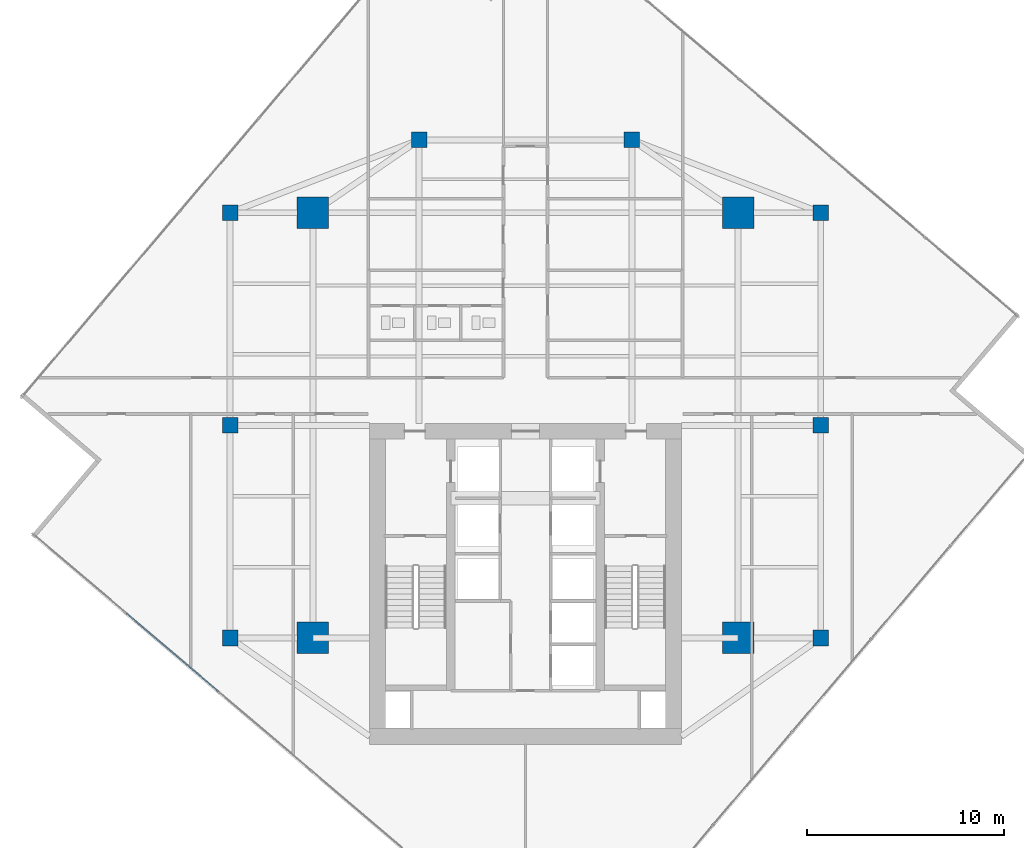
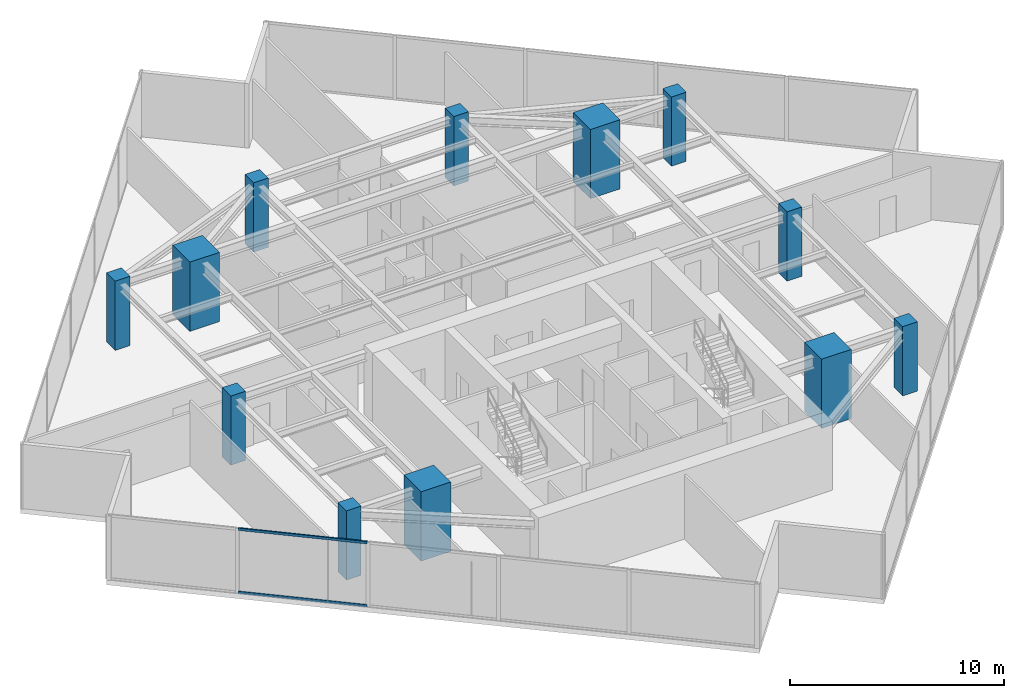
# One storey, part 1 of 25: 12 columns, 2 members, 1 element without a shape of its own.
"""IFC4 building model written with IfcOpenShell, lengths in metres."""

from ifc_helpers import new_model, si_unit, direction, frame, origin, origin_2d, place, context, subcontext, project, spatial, rectangle, hollow_rectangle, extrude, source, transform, mapped, material, material_profile, profile_set, type_object, type_shapes, element, aggregate, save


model = new_model("IFC4")

# Units and contexts
model_context = context("Model", 3, precision=1e-05, world=origin(), true_north=direction((0.0, 1.0)))
body_context = subcontext(model_context, "Body", "Model", "MODEL_VIEW")
ifc_project = project(units=[si_unit("LENGTHUNIT", "METRE"), si_unit("AREAUNIT", "SQUARE_METRE"), si_unit("VOLUMEUNIT", "CUBIC_METRE"), si_unit("PLANEANGLEUNIT", "RADIAN"), si_unit("MASSUNIT", "GRAM", prefix="KILO")], contexts=[model_context])

# Site, building, storey
site_placement = place(None, origin())
site = spatial("IfcSite", under=ifc_project, at=site_placement, CompositionType="ELEMENT")
building_placement = place(site_placement, origin())
building = spatial("IfcBuilding", under=site, at=building_placement, Name="Krantzveldt Concourse Tower", CompositionType="ELEMENT")
storey_placement = place(building_placement, frame((0.0, 0.0, 211.25)))
storey = spatial("IfcBuildingStorey", under=building, at=storey_placement, Name="L51", CompositionType="ELEMENT", Elevation=211.25)

# Columns
ifc_material_1 = material(Name="Concrete C50/60", Category="concrete")
ifc_material_profile_1 = material_profile(ifc_material_1, rectangle(XDim=1.60009765625, YDim=1.60009765625, at=origin_2d()), Name="Concrete C50/60", Category="concrete")
ifc_profile_set_1 = profile_set([ifc_material_profile_1], Name="Concrete C50/60 - RC 1600x1600")
column_type_1 = type_object("IfcColumnType", Name="COL-MC-1600", PredefinedType="USERDEFINED", material=ifc_profile_set_1)
shared_shape_1 = source(origin(), body_context, "Body", "SweptSolid", [
    extrude(rectangle(XDim=1.60009765625, YDim=1.60009765625, at=origin_2d()), origin(), (0.0, 0.0, 1.0), 3.949951171875),
])
type_shapes(column_type_1, [shared_shape_1])
for number, where, z_axis, x_axis, name in (
    (1, (25.199951171875, 15.89990234375, 0.0), (0.0, 0.0, 1.0), (1.0, 0.0, 0.0), "MC-SW-L51"),
    (2, (46.800048828125, 15.89990234375, 0.0), (0.0, 0.0, 1.0), (1.0, 0.0, 0.0), "MC-SE-L51"),
    (3, (46.800048828125, 37.5, 0.0), (0.0, 0.0, 1.0), (1.0, 0.0, 0.0), "MC-NE-L51"),
    (4, (25.199951171875, 37.5, 0.0), (0.0, 0.0, 1.0), (1.0, 0.0, 0.0), "MC-NW-L51"),
):
    element("IfcColumn", number, at=place(storey_placement, frame(where, z_axis=z_axis, x_axis=x_axis)), inside=storey, type_object=column_type_1, Name=name, ObjectType="MEGA COLUMN", PredefinedType="USERDEFINED", context=body_context, shape_type="MappedRepresentation", body=[
        mapped(shared_shape_1, transform((0.0, 0.0, 0.0), x_axis=(1.0, 0.0, 0.0), y_axis=(0.0, 1.0, 0.0), z_axis=(0.0, 0.0, 1.0), scale=1.0)),
    ])
ifc_material_profile_2 = material_profile(ifc_material_1, rectangle(XDim=0.800048828125, YDim=0.800048828125, at=origin_2d()), Name="Concrete C50/60", Category="concrete")
ifc_profile_set_2 = profile_set([ifc_material_profile_2], Name="Concrete C50/60 - RC 800x800")
column_type_2 = type_object("IfcColumnType", Name="COL-C-Z4", PredefinedType="COLUMN", material=ifc_profile_set_2)
shared_shape_2 = source(origin(), body_context, "Body", "SweptSolid", [
    extrude(rectangle(XDim=0.800048828125, YDim=0.800048828125, at=origin_2d()), origin(), (0.0, 0.0, 1.0), 3.949951171875),
])
type_shapes(column_type_2, [shared_shape_2])
for number, where, z_axis, x_axis, name in (
    (5, (21.0, 15.89990234375, 0.0), (0.0, 0.0, 1.0), (1.0, 0.0, 0.0), "PC-R01-L51"),
    (6, (21.0, 26.699951171875, 0.0), (0.0, 0.0, 1.0), (1.0, 0.0, 0.0), "PC-R02-L51"),
    (7, (21.0, 37.5, 0.0), (0.0, 0.0, 1.0), (1.0, 0.0, 0.0), "PC-R03-L51"),
    (8, (30.60009765625, 41.199951171875, 0.0), (0.0, 0.0, 1.0), (1.0, 0.0, 0.0), "PC-R04-L51"),
    (9, (41.39990234375, 41.199951171875, 0.0), (0.0, 0.0, 1.0), (1.0, 0.0, 0.0), "PC-R05-L51"),
    (10, (51.0, 37.5, 0.0), (0.0, 0.0, 1.0), (1.0, 0.0, 0.0), "PC-R06-L51"),
    (11, (51.0, 26.699951171875, 0.0), (0.0, 0.0, 1.0), (1.0, 0.0, 0.0), "PC-R07-L51"),
    (12, (51.0, 15.89990234375, 0.0), (0.0, 0.0, 1.0), (1.0, 0.0, 0.0), "PC-R08-L51"),
):
    element("IfcColumn", number, at=place(storey_placement, frame(where, z_axis=z_axis, x_axis=x_axis)), inside=storey, type_object=column_type_2, Name=name, PredefinedType="COLUMN", context=body_context, shape_type="MappedRepresentation", body=[
        mapped(shared_shape_2, transform((0.0, 0.0, 0.0), x_axis=(1.0, 0.0, 0.0), y_axis=(0.0, 1.0, 0.0), z_axis=(0.0, 0.0, 1.0), scale=1.0)),
    ])

# Curtain wall, members
ifc_material_2 = material(Name="Anodised aluminium 6063-T6", Category="aluminium")
curtain_wall_type = type_object("IfcCurtainWallType", Name="CW3", PredefinedType="USERDEFINED", material=ifc_material_2)
curtain_wall_placement = place(storey_placement, origin())
curtain_wall = element("IfcCurtainWall", 13, at=curtain_wall_placement, inside=storey, type_object=curtain_wall_type, Name="CW-L51-F04", ObjectType="UNITISED CURTAIN WALL", PredefinedType="USERDEFINED")
ifc_material_profile_3 = material_profile(ifc_material_2, hollow_rectangle(XDim=0.070068359375, YDim=0.139892578125, WallThickness=0.0048828125, at=origin_2d()), Name="Anodised aluminium 6063-T6", Category="aluminium")
ifc_profile_set_3 = profile_set([ifc_material_profile_3], Name="Anodised aluminium 6063-T6 - ALU-TRAN 140x70x5")
member_type = type_object("IfcMemberType", Name="CW-TRN-150", PredefinedType="USERDEFINED", material=ifc_profile_set_3)
shared_shape_3 = source(origin(), body_context, "Body", "SweptSolid", [
    extrude(hollow_rectangle(XDim=0.070068359375, YDim=0.139892578125, WallThickness=0.0048828125, at=origin_2d()), origin(), (0.0, 0.0, 1.0), 6.1298828125),
])
type_shapes(member_type, [shared_shape_3])
member_1_placement = place(storey_placement, frame((15.720458984375, 17.153076171875, 0.034912109375), z_axis=(0.761817452252, -0.647791763952, 0.0), x_axis=(0.647791763952, 0.761817452252, 0.0)))
member_1 = element("IfcMember", 14, at=member_1_placement, type_object=member_type, Name="CW-Z34 transom 2.1", ObjectType="TRANSOM", PredefinedType="USERDEFINED", context=body_context, shape_type="MappedRepresentation", body=[
    mapped(shared_shape_3, transform((0.0, 0.0, 0.0), x_axis=(1.0, 0.0, 0.0), y_axis=(0.0, 1.0, 0.0), z_axis=(0.0, 0.0, 1.0), scale=1.0)),
])
member_2_placement = place(storey_placement, frame((15.720458984375, 17.153076171875, 3.635009765625), z_axis=(0.761817452252, -0.647791763952, 0.0), x_axis=(0.647791763952, 0.761817452252, 0.0)))
member_2 = element("IfcMember", 15, at=member_2_placement, type_object=member_type, Name="CW-Z34 transom 2.2", ObjectType="TRANSOM", PredefinedType="USERDEFINED", context=body_context, shape_type="MappedRepresentation", body=[
    mapped(shared_shape_3, transform((0.0, 0.0, 0.0), x_axis=(1.0, 0.0, 0.0), y_axis=(0.0, 1.0, 0.0), z_axis=(0.0, 0.0, 1.0), scale=1.0)),
])
aggregate(curtain_wall, [member_1, member_2])

save(model, "model.ifc")
